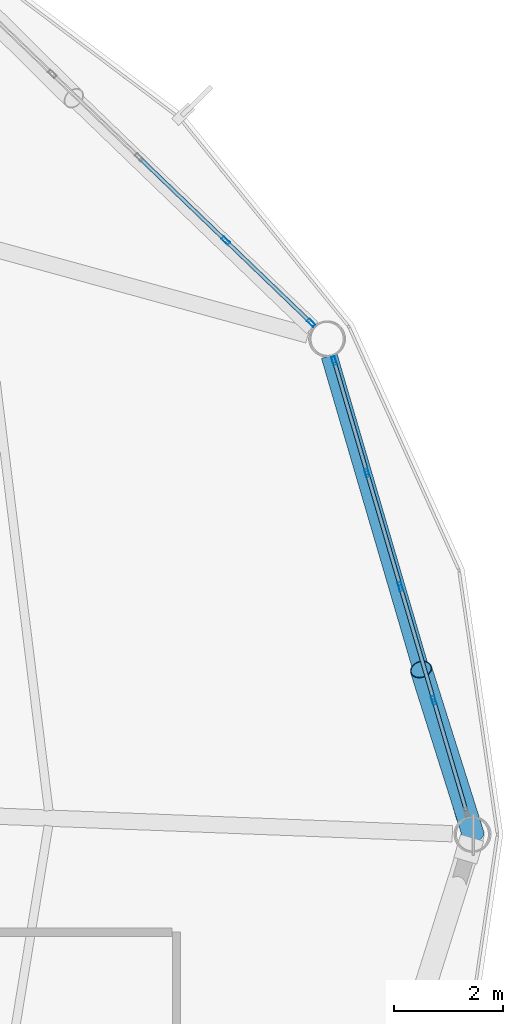
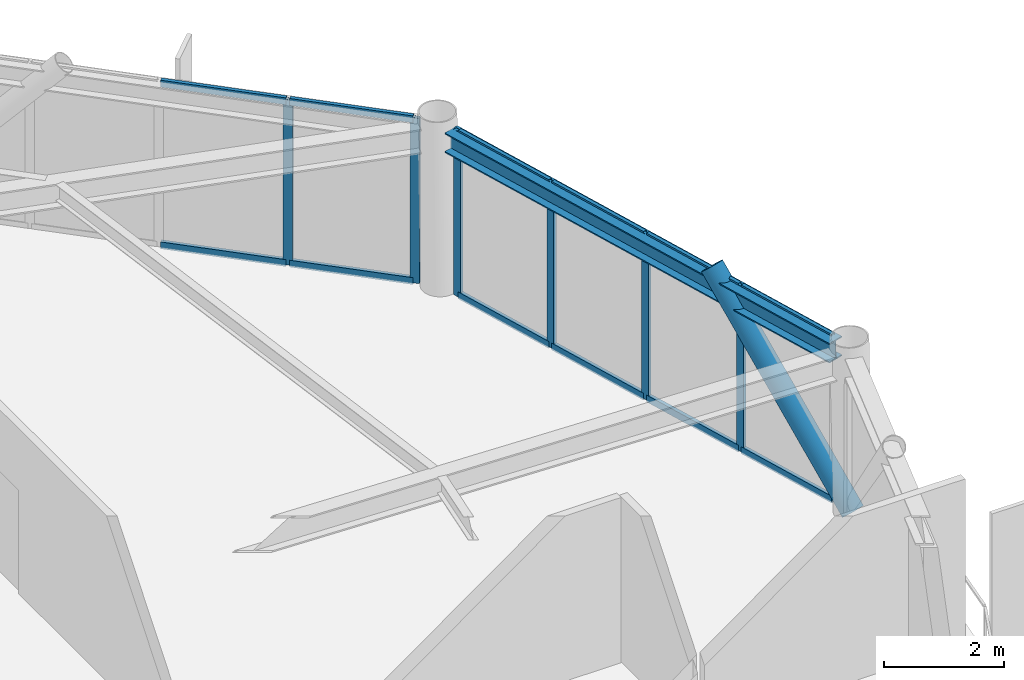
# One storey, part 16 of 28: 19 members, 1 beam, 2 elements without a shape of their own.
"""IFC4 building model written with IfcOpenShell, lengths in metres."""

import ifcopenshell
import ifcopenshell.guid

model = None  # the IFC model being written
_history = None  # IfcOwnerHistory: only IFC2X3 demands one
_inside = {}  # id of a spatial element -> (the spatial element, [elements in it])
_under = {}  # id of a project, library or spatial element -> (it, [spatial elements below it])
_declared = {}  # id of a project -> (the project, [libraries it declares])
_typed = {}  # id of a type object -> (the type object, [elements of that type])
_made_of = {}  # id of a material, layer set ... -> (it, [elements and type objects made of it])


def new_model(schema):
    """Start an empty IFC model of exactly this schema.

    Asked for "IFC4X3", IfcOpenShell would pick the latest addendum, in which some entities
    have other attributes; the version numbers below select the first issue.
    IFC2X3 requires an IfcOwnerHistory on every rooted entity: one is made here for all.
    """
    global model, _history
    if schema == "IFC4X3":
        model = ifcopenshell.file(schema_version=(4, 3, 0, 0))
    else:
        model = ifcopenshell.file(schema=schema)
    _inside.clear()
    _under.clear()
    _declared.clear()
    _typed.clear()
    _made_of.clear()
    _history = None
    if model.schema == "IFC2X3":
        org = make("IfcOrganization", Name="unknown")
        user = make(
            "IfcPersonAndOrganization",
            ThePerson=make("IfcPerson", FamilyName="unknown"),
            TheOrganization=org,
        )
        app = make(
            "IfcApplication",
            ApplicationDeveloper=org,
            Version="unknown",
            ApplicationFullName="unknown",
            ApplicationIdentifier="unknown",
        )
        _history = make(
            "IfcOwnerHistory",
            OwningUser=user,
            OwningApplication=app,
            ChangeAction="ADDED",
            CreationDate=0,
        )
    return model


def make(cls, **values):
    """One entity of the class cls with the attributes given. An attribute that is None is left unset."""
    return model.create_entity(
        cls, **{name: value for name, value in values.items() if value is not None}
    )


def rooted(cls, **values):
    """An entity with a GlobalId (a new one), such as an element, a storey or a relation."""
    return make(cls, GlobalId=ifcopenshell.guid.new(), OwnerHistory=_history, **values)


def si_unit(unit_type, name, prefix=None):
    """IfcSIUnit, for example si_unit("LENGTHUNIT", "METRE", prefix="MILLI")."""
    return make("IfcSIUnit", UnitType=unit_type, Prefix=prefix, Name=name)


def assignment(units):
    """IfcUnitAssignment: the units of a project."""
    return None if units is None else make("IfcUnitAssignment", Units=units)


def point(xyz):
    """IfcCartesianPoint."""
    return None if xyz is None else make("IfcCartesianPoint", Coordinates=xyz)


def direction(xyz):
    """IfcDirection."""
    return None if xyz is None else make("IfcDirection", DirectionRatios=xyz)


def frame(location, z_axis=None, x_axis=None):
    """IfcAxis2Placement3D, a coordinate frame: its origin and axes. An axis left out is left unset."""
    return make(
        "IfcAxis2Placement3D",
        Location=point(location),
        Axis=direction(z_axis),
        RefDirection=direction(x_axis),
    )


def frame_2d(location, x_axis=None):
    """IfcAxis2Placement2D, a coordinate frame in the plane: its origin and x axis."""
    return make(
        "IfcAxis2Placement2D", Location=point(location), RefDirection=direction(x_axis)
    )


def origin():
    """The frame at (0, 0, 0) with its axes left unset."""
    return frame((0.0, 0.0, 0.0))


def origin_2d():
    """The frame at (0, 0) in the plane with its x axis left unset."""
    return frame_2d((0.0, 0.0))


def place(relative_to, where):
    """IfcLocalPlacement: puts the frame where relative to a parent placement (None: the world)."""
    return make(
        "IfcLocalPlacement", PlacementRelTo=relative_to, RelativePlacement=where
    )


def context(
    kind, dimensions, precision=None, world=None, true_north=None, identifier=None
):
    """IfcGeometricRepresentationContext, for example the 3D "Model" context."""
    return make(
        "IfcGeometricRepresentationContext",
        ContextIdentifier=identifier,
        ContextType=kind,
        CoordinateSpaceDimension=dimensions,
        Precision=precision,
        WorldCoordinateSystem=world,
        TrueNorth=true_north,
    )


def subcontext(parent, identifier, kind, view, scale=None):
    """IfcGeometricRepresentationSubContext, for example "Body" below "Model"."""
    return make(
        "IfcGeometricRepresentationSubContext",
        ContextIdentifier=identifier,
        ContextType=kind,
        ParentContext=parent,
        TargetScale=scale,
        TargetView=view,
    )


def project(units=None, contexts=None):
    """IfcProject with its units and contexts."""
    return rooted(
        "IfcProject",
        Name="project",
        RepresentationContexts=contexts,
        UnitsInContext=assignment(units),
    )


def spatial(cls, under=None, at=None, **own):
    """A site, building, storey or space (cls), placed at a placement, below another one or the project."""
    s = rooted(cls, ObjectPlacement=at, **own)
    if under is not None:
        _under.setdefault(under.id(), (under, []))[1].append(s)
    return s


def profile(cls, at=None, kind="AREA", **sizes):
    """A parametric profile (cls). Its sizes go by their IFC names, for example OverallWidth=200.0."""
    return make(cls, ProfileType=kind, Position=at, **sizes)


def hollow_rectangle(**sizes):
    """IfcRectangleHollowProfileDef."""
    return profile("IfcRectangleHollowProfileDef", **sizes)


def hollow_circle(**sizes):
    """IfcCircleHollowProfileDef."""
    return profile("IfcCircleHollowProfileDef", **sizes)


def i_section(**sizes):
    """IfcIShapeProfileDef."""
    return profile("IfcIShapeProfileDef", **sizes)


def extrude(swept, where, along, depth):
    """IfcExtrudedAreaSolid: the profile swept, set in the frame where, extruded along a direction by depth."""
    return make(
        "IfcExtrudedAreaSolid",
        SweptArea=swept,
        Position=where,
        ExtrudedDirection=direction(along),
        Depth=depth,
    )


def shape(context_of_items, identifier, shape_type, items):
    """IfcShapeRepresentation: the items that make up one representation, for example the "Body"."""
    return make(
        "IfcShapeRepresentation",
        ContextOfItems=context_of_items,
        RepresentationIdentifier=identifier,
        RepresentationType=shape_type,
        Items=items,
    )


def material(Name=None, Category=None):
    """IfcMaterial."""
    return make("IfcMaterial", Name=Name, Category=Category)


def layer(
    of_material, thickness, ventilated=None, Name=None, Category=None, Priority=None
):
    """IfcMaterialLayer: one layer of a wall or slab, of a material (None: an air gap)."""
    return make(
        "IfcMaterialLayer",
        Material=of_material,
        LayerThickness=thickness,
        IsVentilated=ventilated,
        Name=Name,
        Category=Category,
        Priority=Priority,
    )


def layer_set(layers, Name=None):
    """IfcMaterialLayerSet."""
    return make("IfcMaterialLayerSet", MaterialLayers=layers, LayerSetName=Name)


def material_profile(
    of_material, cross_section, Name=None, Category=None, Priority=None
):
    """IfcMaterialProfile: a cross section and its material."""
    return make(
        "IfcMaterialProfile",
        Name=Name,
        Material=of_material,
        Profile=cross_section,
        Priority=Priority,
        Category=Category,
    )


def profile_set(profiles, Name=None, composite=None):
    """IfcMaterialProfileSet."""
    return make(
        "IfcMaterialProfileSet",
        Name=Name,
        MaterialProfiles=profiles,
        CompositeProfile=composite,
    )


def made_of(thing, what):
    """Note that an element or type object is made of a material, layer set ...; save() writes the relation."""
    if what is not None:
        _made_of.setdefault(what.id(), (what, []))[1].append(thing)
    return thing


def type_object(cls, material=None, **own):
    """A type object (cls), such as IfcWallType, which elements share."""
    return made_of(rooted(cls, **own), material)


def element(
    cls,
    number,
    at=None,
    inside=None,
    cuts=None,
    type_object=None,
    material=None,
    context=None,
    identifier="Body",
    shape_type=None,
    held_by="IfcProductDefinitionShape",
    body=None,
    shapes=None,
    **own,
):
    """One element of the class cls, such as IfcWall. Its Tag is "e" and its number.

    at: its placement. inside: the storey or other place that contains it. cuts: it is an
    opening in that element (IfcRelVoidsElement). A single representation is given by context,
    identifier, shape_type and body (its items); several are given by shapes. held_by: the class
    of the entity that holds the representations. save() writes the other relations.
    """
    e = rooted(cls, Tag="e%d" % number, ObjectPlacement=at, **own)
    if body is not None:
        shapes = [shape(context, identifier, shape_type, body)]
    if shapes is not None:
        e.Representation = make(held_by, Representations=shapes)
    if inside is not None:
        _inside.setdefault(inside.id(), (inside, []))[1].append(e)
    if cuts is not None:
        rooted(
            "IfcRelVoidsElement", RelatingBuildingElement=cuts, RelatedOpeningElement=e
        )
    if type_object is not None:
        _typed.setdefault(type_object.id(), (type_object, []))[1].append(e)
    return made_of(e, material)


def aggregate(whole, parts):
    """IfcRelAggregates: a whole, such as a stair, and the parts it consists of."""
    return rooted("IfcRelAggregates", RelatingObject=whole, RelatedObjects=parts)


def save(model, path):
    """Write the relations noted so far, then the file.

    IfcRelAggregates (storeys below a building ...), IfcRelContainedInSpatialStructure (elements
    in a storey), IfcRelDefinesByType, IfcRelAssociatesMaterial and IfcRelDeclares: one each for
    every whole, place, type object, material and project.
    """
    for whole, parts in _under.values():
        aggregate(whole, parts)
    for where, things in _inside.values():
        rooted(
            "IfcRelContainedInSpatialStructure",
            RelatedElements=things,
            RelatingStructure=where,
        )
    for kind, things in _typed.values():
        rooted("IfcRelDefinesByType", RelatedObjects=things, RelatingType=kind)
    for what, things in _made_of.values():
        rooted("IfcRelAssociatesMaterial", RelatedObjects=things, RelatingMaterial=what)
    for by, libraries in _declared.values():
        rooted("IfcRelDeclares", RelatingContext=by, RelatedDefinitions=libraries)
    model.write(path)


model = new_model("IFC4")

# Units and contexts
model_context = context("Model", 3, precision=1e-05, world=origin(), true_north=direction((0.0, 1.0)))
body_context = subcontext(model_context, "Body", "Model", "MODEL_VIEW")
ifc_project = project(units=[si_unit("LENGTHUNIT", "METRE"), si_unit("AREAUNIT", "SQUARE_METRE"), si_unit("VOLUMEUNIT", "CUBIC_METRE"), si_unit("PLANEANGLEUNIT", "RADIAN"), si_unit("MASSUNIT", "GRAM", prefix="KILO")], contexts=[model_context])

# Site, building, storey
site_placement = place(None, origin())
site = spatial("IfcSite", under=ifc_project, at=site_placement, CompositionType="ELEMENT")
building_placement = place(site_placement, origin())
building = spatial("IfcBuilding", under=site, at=building_placement, Name="Varnakorn Sky Granary", CompositionType="ELEMENT")
storey_placement = place(building_placement, frame((0.0, 0.0, 214.800048828125)))
storey = spatial("IfcBuildingStorey", under=building, at=storey_placement, Name="L54", CompositionType="ELEMENT", Elevation=214.800048828125)

# Beam
ifc_material_1 = material(Name="Steel S355JR", Category="steel")
ifc_material_profile_1 = material_profile(ifc_material_1, i_section(OverallWidth=0.300048828125, OverallDepth=0.39990234375, WebThickness=0.013427734375, FlangeThickness=0.02392578125, at=origin_2d()), Name="HE 400 B")
ifc_profile_set_1 = profile_set([ifc_material_profile_1], Name="Steel S355JR")
beam_type = type_object("IfcBeamType", Name="BM-SPD-Z4", PredefinedType="SPANDREL", material=ifc_profile_set_1)
beam_placement = place(storey_placement, frame((23.79833984375, 0.30224609375, 3.159912109375), z_axis=(-0.281151394654, 0.959663427085, 0.0), x_axis=(-0.959663427085, -0.281151394654, 0.0)))
element("IfcBeam", 1, at=beam_placement, inside=storey, type_object=beam_type, Name="Perimeter Spandrel Ring Beam RB01 L54", PredefinedType="SPANDREL", context=body_context, shape_type="SweptSolid", body=[
    extrude(i_section(OverallWidth=0.300048828125, OverallDepth=0.39990234375, WebThickness=0.013427734375, FlangeThickness=0.02392578125, at=origin_2d()), origin(), (0.0, 0.0, 1.0), 8.857177734375),
])

# Curtain wall, members
ifc_material_2 = material(Name="Anodised Bronze Aluminium Alloy 6063-T6", Category="aluminium")
ifc_layer = layer(ifc_material_2, 0.169921875, Name="Anodised Bronze Aluminium Alloy 6063-T6")
ifc_layer_set = layer_set([ifc_layer], Name="Anodised Bronze Aluminium Alloy 6063-T6")
curtain_wall_type = type_object("IfcCurtainWallType", Name="CW-LAB-1", PredefinedType="USERDEFINED", material=ifc_layer_set)
curtain_wall_1_placement = place(storey_placement, origin())
curtain_wall_1 = element("IfcCurtainWall", 2, at=curtain_wall_1_placement, inside=storey, type_object=curtain_wall_type, Name="Unitised Curtain Wall CW5 CW-L54-B01", ObjectType="CURTAIN WALL", PredefinedType="USERDEFINED")
ifc_material_profile_2 = material_profile(ifc_material_2, hollow_rectangle(XDim=0.06494140625, YDim=0.159912109375, WallThickness=0.00341796875, at=origin_2d()), Name="ALU MULL 65x160")
ifc_profile_set_2 = profile_set([ifc_material_profile_2], Name="Anodised Bronze Aluminium Alloy 6063-T6")
member_type_1 = type_object("IfcMemberType", Name="CW-LAB-1-MULL", PredefinedType="MULLION", material=ifc_profile_set_2)
member_1_placement = place(storey_placement, frame((21.3974609375, 8.715576171875, 0.0), z_axis=(0.0, 0.0, 1.0), x_axis=(0.959539962352, 0.281572478502, 0.0)))
member_1 = element("IfcMember", 3, at=member_1_placement, type_object=member_type_1, Name="CW5 mullion 1", PredefinedType="MULLION", context=body_context, shape_type="SweptSolid", body=[
    extrude(hollow_rectangle(XDim=0.06494140625, YDim=0.159912109375, WallThickness=0.00341796875, at=origin_2d()), origin(), (0.0, 0.0, 1.0), 3.35986328125),
])
member_2_placement = place(storey_placement, frame((22.00244140625, 6.653564453125, 0.0), z_axis=(0.0, 0.0, 1.0), x_axis=(0.959539962352, 0.281572478502, 0.0)))
member_2 = element("IfcMember", 4, at=member_2_placement, type_object=member_type_1, Name="CW5 mullion 2", PredefinedType="MULLION", context=body_context, shape_type="SweptSolid", body=[
    extrude(hollow_rectangle(XDim=0.06494140625, YDim=0.159912109375, WallThickness=0.00341796875, at=origin_2d()), origin(), (0.0, 0.0, 1.0), 3.35986328125),
])
member_3_placement = place(storey_placement, frame((22.61669921875, 4.560546875, 0.0), z_axis=(0.0, 0.0, 1.0), x_axis=(0.959539962352, 0.281572478502, 0.0)))
member_3 = element("IfcMember", 5, at=member_3_placement, type_object=member_type_1, Name="CW5 mullion 3", PredefinedType="MULLION", context=body_context, shape_type="SweptSolid", body=[
    extrude(hollow_rectangle(XDim=0.06494140625, YDim=0.159912109375, WallThickness=0.00341796875, at=origin_2d()), origin(), (0.0, 0.0, 1.0), 3.35986328125),
])
member_4_placement = place(storey_placement, frame((23.23095703125, 2.46728515625, 0.0), z_axis=(0.0, 0.0, 1.0), x_axis=(0.959539962352, 0.281572478502, 0.0)))
member_4 = element("IfcMember", 6, at=member_4_placement, type_object=member_type_1, Name="CW5 mullion 4", PredefinedType="MULLION", context=body_context, shape_type="SweptSolid", body=[
    extrude(hollow_rectangle(XDim=0.06494140625, YDim=0.159912109375, WallThickness=0.00341796875, at=origin_2d()), origin(), (0.0, 0.0, 1.0), 3.35986328125),
])

curtain_wall_2_placement = place(storey_placement, origin())
curtain_wall_2 = element("IfcCurtainWall", 7, at=curtain_wall_2_placement, inside=storey, type_object=curtain_wall_type, Name="Unitised Curtain Wall CW5 CW-L54-B02", ObjectType="CURTAIN WALL", PredefinedType="USERDEFINED")
member_5_placement = place(storey_placement, frame((19.402099609375, 10.92529296875, 0.0), z_axis=(0.0, 0.0, 1.0), x_axis=(0.693140093091, 0.72080289355, 0.0)))
member_5 = element("IfcMember", 8, at=member_5_placement, type_object=member_type_1, Name="CW5 mullion 4", PredefinedType="MULLION", context=body_context, shape_type="SweptSolid", body=[
    extrude(hollow_rectangle(XDim=0.06494140625, YDim=0.159912109375, WallThickness=0.00341796875, at=origin_2d()), origin(), (0.0, 0.0, 1.0), 3.35986328125),
])
member_6_placement = place(storey_placement, frame((20.973876953125, 9.413818359375, 0.0), z_axis=(0.0, 0.0, 1.0), x_axis=(0.693140093091, 0.72080289355, 0.0)))
member_6 = element("IfcMember", 9, at=member_6_placement, type_object=member_type_1, Name="CW5 mullion 5", PredefinedType="MULLION", context=body_context, shape_type="SweptSolid", body=[
    extrude(hollow_rectangle(XDim=0.06494140625, YDim=0.159912109375, WallThickness=0.00341796875, at=origin_2d()), origin(), (0.0, 0.0, 1.0), 3.35986328125),
])

# Member
ifc_material_profile_3 = material_profile(ifc_material_2, hollow_rectangle(XDim=0.070068359375, YDim=0.139892578125, WallThickness=0.00341796875, at=origin_2d()), Name="ALU TRAN 70x140")
ifc_profile_set_3 = profile_set([ifc_material_profile_3], Name="Anodised Bronze Aluminium Alloy 6063-T6")
member_type_2 = type_object("IfcMemberType", Name="CW-LAB-1-TRAN", PredefinedType="USERDEFINED", material=ifc_profile_set_3)
member_7_placement = place(storey_placement, frame((21.406494140625, 8.684326171875, 0.034912109375), z_axis=(0.281646163783, -0.959518336681, 0.0), x_axis=(0.959518336681, 0.281646163783, 0.0)))
member_7 = element("IfcMember", 10, at=member_7_placement, type_object=member_type_2, Name="CW5 transom 1.1", ObjectType="TRANSOM", PredefinedType="USERDEFINED", context=body_context, shape_type="SweptSolid", body=[
    extrude(hollow_rectangle(XDim=0.070068359375, YDim=0.139892578125, WallThickness=0.00341796875, at=origin_2d()), origin(), (0.0, 0.0, 1.0), 2.083984375),
])

member_8_placement = place(storey_placement, frame((21.406494140625, 8.684326171875, 3.324951171875), z_axis=(0.281646163783, -0.959518336681, 0.0), x_axis=(0.959518336681, 0.281646163783, 0.0)))
member_8 = element("IfcMember", 11, at=member_8_placement, type_object=member_type_2, Name="CW5 transom 1.2", ObjectType="TRANSOM", PredefinedType="USERDEFINED", context=body_context, shape_type="SweptSolid", body=[
    extrude(hollow_rectangle(XDim=0.070068359375, YDim=0.139892578125, WallThickness=0.00341796875, at=origin_2d()), origin(), (0.0, 0.0, 1.0), 2.083984375),
])

member_9_placement = place(storey_placement, frame((22.01171875, 6.62255859375, 0.034912109375), z_axis=(0.28158544815, -0.959536156375, 0.0), x_axis=(0.959536156375, 0.28158544815, 0.0)))
member_9 = element("IfcMember", 12, at=member_9_placement, type_object=member_type_2, Name="CW5 transom 2.1", ObjectType="TRANSOM", PredefinedType="USERDEFINED", context=body_context, shape_type="SweptSolid", body=[
    extrude(hollow_rectangle(XDim=0.070068359375, YDim=0.139892578125, WallThickness=0.00341796875, at=origin_2d()), origin(), (0.0, 0.0, 1.0), 2.116455078125),
])

member_10_placement = place(storey_placement, frame((22.01171875, 6.62255859375, 3.324951171875), z_axis=(0.28158544815, -0.959536156375, 0.0), x_axis=(0.959536156375, 0.28158544815, 0.0)))
member_10 = element("IfcMember", 13, at=member_10_placement, type_object=member_type_2, Name="CW5 transom 2.2", ObjectType="TRANSOM", PredefinedType="USERDEFINED", context=body_context, shape_type="SweptSolid", body=[
    extrude(hollow_rectangle(XDim=0.070068359375, YDim=0.139892578125, WallThickness=0.00341796875, at=origin_2d()), origin(), (0.0, 0.0, 1.0), 2.116455078125),
])

member_11_placement = place(storey_placement, frame((22.6259765625, 4.529296875, 0.034912109375), z_axis=(0.28158544815, -0.959536156375, 0.0), x_axis=(0.959536156375, 0.28158544815, 0.0)))
member_11 = element("IfcMember", 14, at=member_11_placement, type_object=member_type_2, Name="CW5 transom 3.1", ObjectType="TRANSOM", PredefinedType="USERDEFINED", context=body_context, shape_type="SweptSolid", body=[
    extrude(hollow_rectangle(XDim=0.070068359375, YDim=0.139892578125, WallThickness=0.00341796875, at=origin_2d()), origin(), (0.0, 0.0, 1.0), 2.116455078125),
])

member_12_placement = place(storey_placement, frame((22.6259765625, 4.529296875, 3.324951171875), z_axis=(0.28158544815, -0.959536156375, 0.0), x_axis=(0.959536156375, 0.28158544815, 0.0)))
member_12 = element("IfcMember", 15, at=member_12_placement, type_object=member_type_2, Name="CW5 transom 3.2", ObjectType="TRANSOM", PredefinedType="USERDEFINED", context=body_context, shape_type="SweptSolid", body=[
    extrude(hollow_rectangle(XDim=0.070068359375, YDim=0.139892578125, WallThickness=0.00341796875, at=origin_2d()), origin(), (0.0, 0.0, 1.0), 2.116455078125),
])

member_13_placement = place(storey_placement, frame((23.240234375, 2.436279296875, 0.034912109375), z_axis=(0.281506646897, -0.959559277873, 0.0), x_axis=(0.959559277873, 0.281506646897, 0.0)))
member_13 = element("IfcMember", 16, at=member_13_placement, type_object=member_type_2, Name="CW5 transom 4.1", ObjectType="TRANSOM", PredefinedType="USERDEFINED", context=body_context, shape_type="SweptSolid", body=[
    extrude(hollow_rectangle(XDim=0.070068359375, YDim=0.139892578125, WallThickness=0.00341796875, at=origin_2d()), origin(), (0.0, 0.0, 1.0), 2.083984375),
])

member_14_placement = place(storey_placement, frame((23.240234375, 2.436279296875, 3.324951171875), z_axis=(0.281506646897, -0.959559277873, 0.0), x_axis=(0.959559277873, 0.281506646897, 0.0)))
member_14 = element("IfcMember", 17, at=member_14_placement, type_object=member_type_2, Name="CW5 transom 4.2", ObjectType="TRANSOM", PredefinedType="USERDEFINED", context=body_context, shape_type="SweptSolid", body=[
    extrude(hollow_rectangle(XDim=0.070068359375, YDim=0.139892578125, WallThickness=0.00341796875, at=origin_2d()), origin(), (0.0, 0.0, 1.0), 2.083984375),
])

aggregate(curtain_wall_1, [member_1, member_2, member_3, member_4, member_7, member_8, member_9, member_10, member_11, member_12, member_13, member_14])

member_15_placement = place(storey_placement, frame((17.830078125, 12.43701171875, 0.034912109375), z_axis=(0.720835248654, -0.693106445143, 0.0), x_axis=(0.693106445143, 0.720835248654, 0.0)))
member_15 = element("IfcMember", 18, at=member_15_placement, type_object=member_type_2, Name="CW5 transom 3.1", ObjectType="TRANSOM", PredefinedType="USERDEFINED", context=body_context, shape_type="SweptSolid", body=[
    extrude(hollow_rectangle(XDim=0.070068359375, YDim=0.139892578125, WallThickness=0.00341796875, at=origin_2d()), origin(), (0.0, 0.0, 1.0), 2.1484375),
])

member_16_placement = place(storey_placement, frame((17.830078125, 12.43701171875, 3.324951171875), z_axis=(0.720835248654, -0.693106445143, 0.0), x_axis=(0.693106445143, 0.720835248654, 0.0)))
member_16 = element("IfcMember", 19, at=member_16_placement, type_object=member_type_2, Name="CW5 transom 3.2", ObjectType="TRANSOM", PredefinedType="USERDEFINED", context=body_context, shape_type="SweptSolid", body=[
    extrude(hollow_rectangle(XDim=0.070068359375, YDim=0.139892578125, WallThickness=0.00341796875, at=origin_2d()), origin(), (0.0, 0.0, 1.0), 2.1484375),
])

member_17_placement = place(storey_placement, frame((19.425537109375, 10.90283203125, 0.034912109375), z_axis=(0.720762102914, -0.693182509158, 0.0), x_axis=(0.693182509158, 0.720762102914, 0.0)))
member_17 = element("IfcMember", 20, at=member_17_placement, type_object=member_type_2, Name="CW5 transom 4.1", ObjectType="TRANSOM", PredefinedType="USERDEFINED", context=body_context, shape_type="SweptSolid", body=[
    extrude(hollow_rectangle(XDim=0.070068359375, YDim=0.139892578125, WallThickness=0.00341796875, at=origin_2d()), origin(), (0.0, 0.0, 1.0), 2.11572265625),
])

member_18_placement = place(storey_placement, frame((19.425537109375, 10.90283203125, 3.324951171875), z_axis=(0.720762102914, -0.693182509158, 0.0), x_axis=(0.693182509158, 0.720762102914, 0.0)))
member_18 = element("IfcMember", 21, at=member_18_placement, type_object=member_type_2, Name="CW5 transom 4.2", ObjectType="TRANSOM", PredefinedType="USERDEFINED", context=body_context, shape_type="SweptSolid", body=[
    extrude(hollow_rectangle(XDim=0.070068359375, YDim=0.139892578125, WallThickness=0.00341796875, at=origin_2d()), origin(), (0.0, 0.0, 1.0), 2.11572265625),
])

aggregate(curtain_wall_2, [member_5, member_6, member_15, member_16, member_17, member_18])

ifc_material_3 = material(Name="Steel S460M", Category="steel")
ifc_material_profile_4 = material_profile(ifc_material_3, hollow_circle(Radius=0.203125, WallThickness=0.01611328125, at=origin_2d()), Name="CHS 406.4x16")
ifc_profile_set_4 = profile_set([ifc_material_profile_4], Name="Steel S460M")
member_type_3 = type_object("IfcMemberType", Name="MB-DIAG-T4", PredefinedType="BRACE", material=ifc_profile_set_4)
member_19_placement = place(storey_placement, frame((23.955078125, 0.0, 0.0), z_axis=(-0.20268207504, 0.642576096614, 0.738928911681), x_axis=(-0.953683485388, -0.300811917481, 0.0)))
element("IfcMember", 22, at=member_19_placement, inside=storey, type_object=member_type_3, Name="Perimeter CHS Diagrid Brace DG01 L54", PredefinedType="BRACE", context=body_context, shape_type="SweptSolid", body=[
    extrude(hollow_circle(Radius=0.203125, WallThickness=0.01611328125, at=origin_2d()), origin(), (0.0, 0.0, 1.0), 4.72314453125),
])

save(model, "model.ifc")
